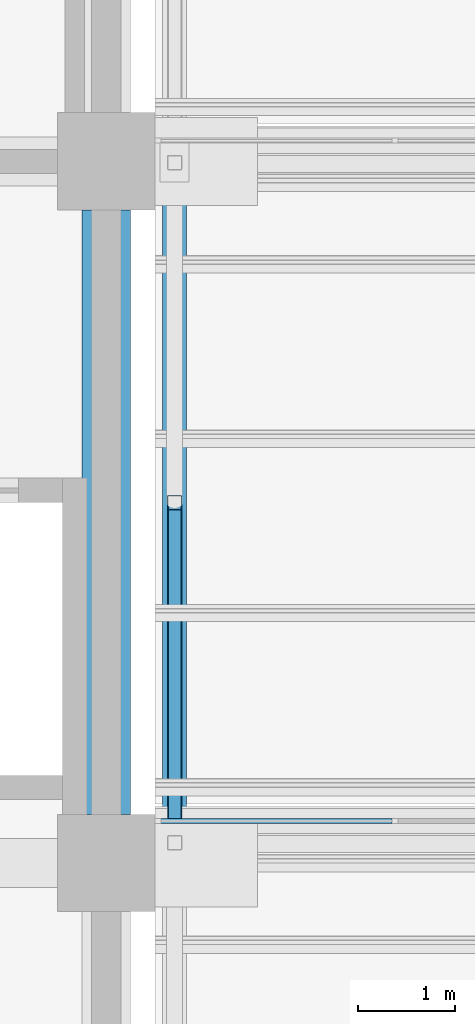
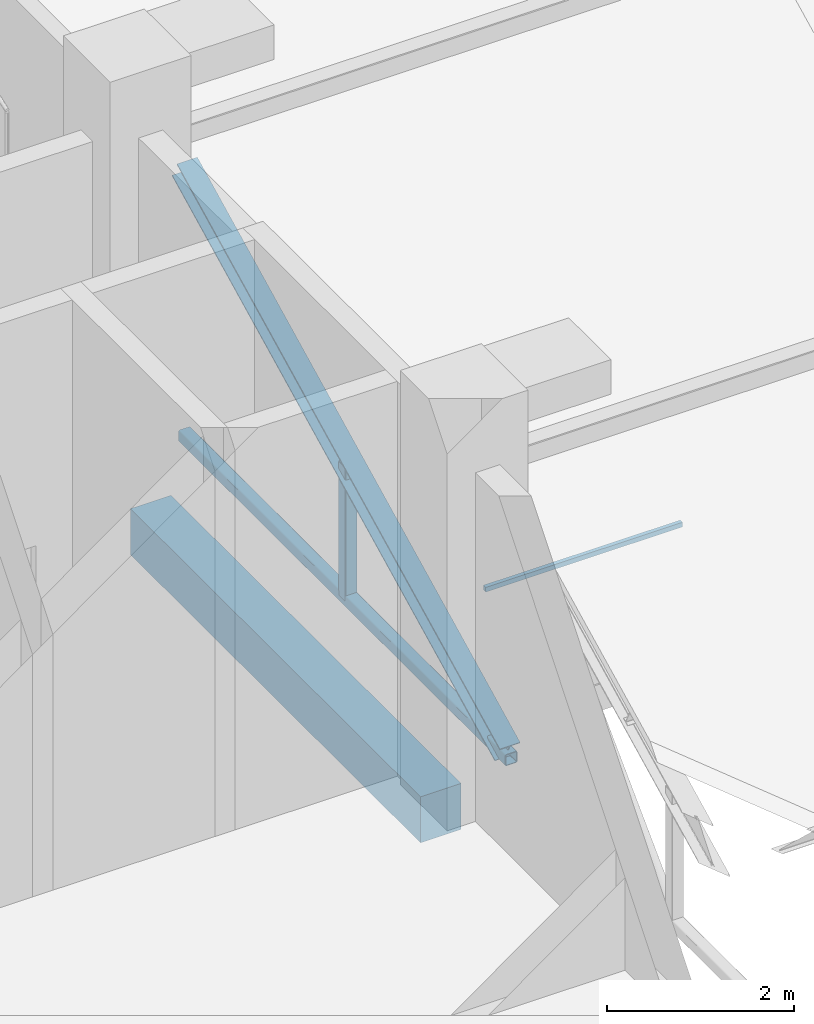
# One storey, part 25 of 83: 4 members, 1 beam, 1 element without a shape of its own.
"""IFC4 building model written with IfcOpenShell, lengths in metres."""

from ifc_helpers import new_model, si_unit, direction, frame, origin, origin_2d, place, context, subcontext, project, spatial, rectangle, hollow_rectangle, i_section, extrude, material, material_profile, profile_set, type_object, element, aggregate, save


model = new_model("IFC4")

# Units and contexts
model_context = context("Model", 3, precision=1e-05, world=origin(), true_north=direction((0.0, 1.0)))
body_context = subcontext(model_context, "Body", "Model", "MODEL_VIEW")
ifc_project = project(units=[si_unit("LENGTHUNIT", "METRE"), si_unit("AREAUNIT", "SQUARE_METRE"), si_unit("VOLUMEUNIT", "CUBIC_METRE"), si_unit("PLANEANGLEUNIT", "RADIAN"), si_unit("MASSUNIT", "GRAM", prefix="KILO")], contexts=[model_context])

# Site, building, storey
site_placement = place(None, origin())
site = spatial("IfcSite", under=ifc_project, at=site_placement, CompositionType="ELEMENT")
building_placement = place(site_placement, origin())
building = spatial("IfcBuilding", under=site, at=building_placement, Name="Silangan Lancet Faculty of Sciences", CompositionType="ELEMENT")
storey_placement = place(building_placement, frame((0.0, 0.0, 11.39990234375)))
storey = spatial("IfcBuildingStorey", under=building, at=storey_placement, Name="L02", CompositionType="ELEMENT", Elevation=11.39990234375)

# Beam
ifc_material_1 = material(Name="Concrete C40/50", Category="concrete")
ifc_material_profile_1 = material_profile(ifc_material_1, rectangle(XDim=0.5, YDim=0.60009765625, at=origin_2d()), Name="RC 500x600")
ifc_profile_set_1 = profile_set([ifc_material_profile_1], Name="Concrete C40/50")
beam_type = type_object("IfcBeamType", Name="BEAM RC 500x600", PredefinedType="BEAM", material=ifc_profile_set_1)
beam_placement = place(storey_placement, frame((28.800048828125, 43.699951171875, -0.5498046875), z_axis=(0.0, 1.0, 0.0), x_axis=(-1.0, 0.0, 0.0)))
element("IfcBeam", 1, at=beam_placement, inside=storey, type_object=beam_type, Name="BM-L02-5G-5H", PredefinedType="BEAM", context=body_context, shape_type="SweptSolid", body=[
    extrude(rectangle(XDim=0.5, YDim=0.60009765625, at=origin_2d()), origin(), (0.0, 0.0, 1.0), 6.199951171875),
])

# Curtain wall, member
ifc_material_2 = material(Name="Aluminium and laminated glass", Category="aluminium")
curtain_wall_type = type_object("IfcCurtainWallType", Name="North light glazing system", PredefinedType="NOTDEFINED", material=ifc_material_2)
curtain_wall_placement = place(storey_placement, origin())
curtain_wall = element("IfcCurtainWall", 2, at=curtain_wall_placement, inside=storey, type_object=curtain_wall_type, Name="North light glazing NAB-1-1", PredefinedType="NOTDEFINED")
ifc_material_3 = material(Name="Aluminium 6063-T6", Category="aluminium")
ifc_material_profile_2 = material_profile(ifc_material_3, rectangle(XDim=0.050048828125, YDim=0.06005859375, at=origin_2d()), Name="AL 50x60")
ifc_profile_set_2 = profile_set([ifc_material_profile_2], Name="Aluminium 6063-T6")
member_type_1 = type_object("IfcMemberType", Name="North light transom 50x60", PredefinedType="USERDEFINED", material=ifc_profile_set_2)
member_1_placement = place(storey_placement, frame((29.300048828125, 43.631591796875, 2.245361328125), z_axis=(1.0, 0.0, 0.0), x_axis=(0.0, 1.0, 0.0)))
member_1 = element("IfcMember", 3, at=member_1_placement, type_object=member_type_1, Name="North light transom NAB-1-1 1", ObjectType="TRANSOM", PredefinedType="USERDEFINED", context=body_context, shape_type="SweptSolid", body=[
    extrude(rectangle(XDim=0.050048828125, YDim=0.06005859375, at=origin_2d()), origin(), (0.0, 0.0, 1.0), 2.431640625),
])
aggregate(curtain_wall, [member_1])

# Members
ifc_material_4 = material(Name="Steel STKR400", Category="steel")
ifc_material_profile_3 = material_profile(ifc_material_4, hollow_rectangle(XDim=0.14990234375, YDim=0.14990234375, WallThickness=0.009033203125, InnerFilletRadius=0.009033203125, OuterFilletRadius=0.01806640625, at=origin_2d()), Name="SHS 150x150x9.0")
ifc_profile_set_3 = profile_set([ifc_material_profile_3], Name="Steel STKR400")
member_type_2 = type_object("IfcMemberType", Name="Truss bottom chord SHS 150x150x9.0", PredefinedType="CHORD", material=ifc_profile_set_3)
member_2_placement = place(storey_placement, frame((29.5, 43.40673828125, 0.09521484375), z_axis=(0.0, 1.0, 0.0), x_axis=(-1.0, 0.0, 0.0)))
element("IfcMember", 4, at=member_2_placement, inside=storey, type_object=member_type_2, Name="Truss 1 bottom chord 2", PredefinedType="CHORD", context=body_context, shape_type="SweptSolid", body=[
    extrude(hollow_rectangle(XDim=0.14990234375, YDim=0.14990234375, WallThickness=0.009033203125, InnerFilletRadius=0.009033203125, OuterFilletRadius=0.01806640625, at=origin_2d()), origin(), (0.0, 0.0, 1.0), 6.9814453125),
])
ifc_material_5 = material(Name="Steel STKR400", Category="steel")
ifc_material_profile_4 = material_profile(ifc_material_5, hollow_rectangle(XDim=0.14990234375, YDim=0.14990234375, WallThickness=0.006103515625, InnerFilletRadius=0.006103515625, OuterFilletRadius=0.011962890625, at=origin_2d()), Name="SHS 150x150x6.0")
ifc_profile_set_4 = profile_set([ifc_material_profile_4], Name="Steel STKR400")
member_type_3 = type_object("IfcMemberType", Name="Truss post SHS 150x150x6.0", PredefinedType="POST", material=ifc_profile_set_4)
member_3_placement = place(storey_placement, frame((29.5, 46.8974609375, 0.09521484375), z_axis=(0.0, 0.0, 1.0), x_axis=(1.0, 0.0, 0.0)))
element("IfcMember", 5, at=member_3_placement, inside=storey, type_object=member_type_3, Name="Truss 1 mid post 2", PredefinedType="POST", context=body_context, shape_type="SweptSolid", body=[
    extrude(hollow_rectangle(XDim=0.14990234375, YDim=0.14990234375, WallThickness=0.006103515625, InnerFilletRadius=0.006103515625, OuterFilletRadius=0.011962890625, at=origin_2d()), origin(), (0.0, 0.0, 1.0), 1.745361328125),
])
ifc_material_6 = material(Name="Steel SS400", Category="steel")
ifc_material_profile_5 = material_profile(ifc_material_6, i_section(OverallWidth=0.25, OverallDepth=0.25, WebThickness=0.009033203125, FlangeThickness=0.013916015625, FilletRadius=0.01611328125, at=origin_2d()), Name="H 250x250x9x14")
ifc_profile_set_5 = profile_set([ifc_material_profile_5], Name="Steel SS400")
member_type_4 = type_object("IfcMemberType", Name="Truss top chord H 250x250x9x14", PredefinedType="CHORD", material=ifc_profile_set_5)
member_4_placement = place(storey_placement, frame((29.5, 43.4873046875, 0.13525390625), z_axis=(0.0, 0.894414533534, 0.447238909537), x_axis=(-1.0, 0.0, 0.0)))
element("IfcMember", 6, at=member_4_placement, inside=storey, type_object=member_type_4, Name="Truss 1 top chord 2", PredefinedType="CHORD", context=body_context, shape_type="SweptSolid", body=[
    extrude(i_section(OverallWidth=0.25, OverallDepth=0.25, WebThickness=0.009033203125, FlangeThickness=0.013916015625, FilletRadius=0.01611328125, at=origin_2d()), origin(), (0.0, 0.0, 1.0), 7.715576171875),
])

save(model, "model.ifc")
